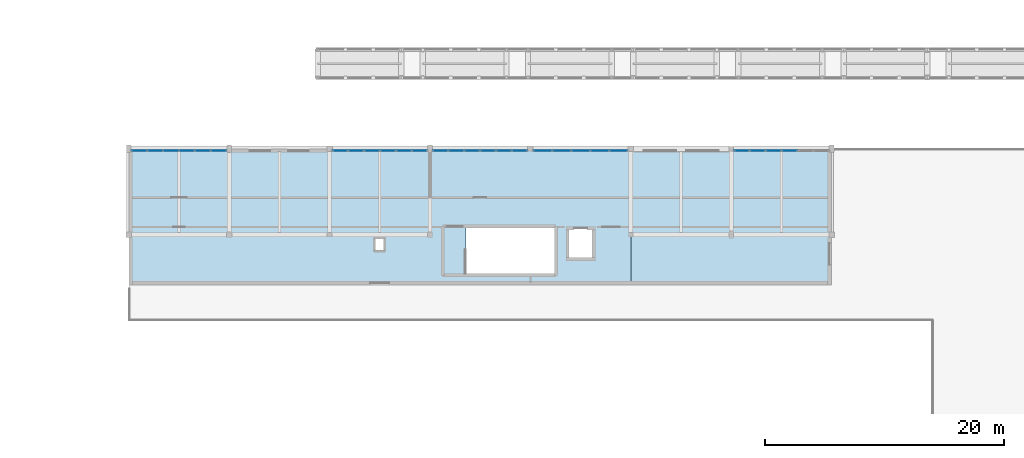
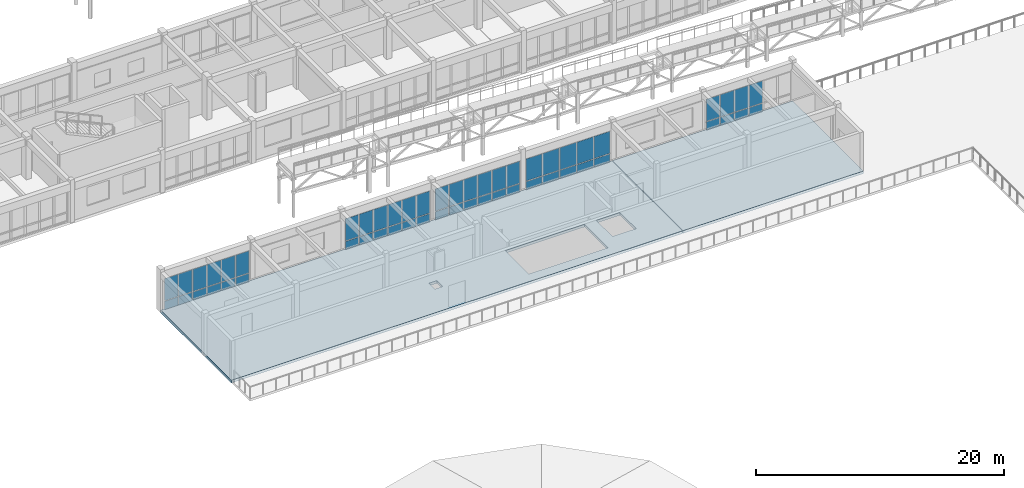
# One storey, part 59 of 89: 54 plates, 2 slabs, 5 elements without a shape of their own.
"""IFC4 building model written with IfcOpenShell, lengths in metres."""

from ifc_helpers import new_model, si_unit, direction, frame, origin, origin_2d, place, context, subcontext, project, spatial, polyline, rectangle, outline, extrude, material, layer, layer_set, type_object, element, aggregate, save


model = new_model("IFC4")

# Units and contexts
model_context = context("Model", 3, precision=1e-05, world=origin(), true_north=direction((0.0, 1.0)))
body_context = subcontext(model_context, "Body", "Model", "MODEL_VIEW")
ifc_project = project(units=[si_unit("LENGTHUNIT", "METRE"), si_unit("AREAUNIT", "SQUARE_METRE"), si_unit("VOLUMEUNIT", "CUBIC_METRE"), si_unit("PLANEANGLEUNIT", "RADIAN"), si_unit("MASSUNIT", "GRAM", prefix="KILO")], contexts=[model_context])

# Site, building, storey
site_placement = place(None, origin())
site = spatial("IfcSite", under=ifc_project, at=site_placement, CompositionType="ELEMENT")
building_placement = place(site_placement, origin())
building = spatial("IfcBuilding", under=site, at=building_placement, Name="Malvenik Polytechnic", CompositionType="ELEMENT")
storey_placement = place(building_placement, frame((0.0, 0.0, 13.5)))
storey = spatial("IfcBuildingStorey", under=building, at=storey_placement, Name="L03", CompositionType="ELEMENT", Elevation=13.5)

# Curtain wall, plates
ifc_material_1 = material(Name="Anodised aluminium 6060-T6", Category="aluminium")
curtain_wall_type = type_object("IfcCurtainWallType", Name="ARC-CW-CW-02", PredefinedType="NOTDEFINED", material=ifc_material_1)
curtain_wall_1_placement = place(storey_placement, origin())
curtain_wall_1 = element("IfcCurtainWall", 1, at=curtain_wall_1_placement, inside=storey, type_object=curtain_wall_type, Name="Unitised Curtain Wall CW-02 L03 #206", PredefinedType="NOTDEFINED")
ifc_material_2 = material(Name="Insulated low-E double glazing 8-16-8", Category="glass")
ifc_layer_1 = layer(ifc_material_2, 0.028076171875)
ifc_layer_set_1 = layer_set([ifc_layer_1], Name="Insulated low-E double glazing 8-16-8")
plate_type_1 = type_object("IfcPlateType", Name="ARC-CWP-CP-GLZ28", PredefinedType="CURTAIN_PANEL", material=ifc_layer_set_1)
plate_1_placement = place(storey_placement, frame((9.280029296875, 64.6298828125, 0.929931640625), z_axis=(0.0, 0.0, 1.0), x_axis=(1.0, 0.0, 0.0)))
plate_1 = element("IfcPlate", 2, at=plate_1_placement, type_object=plate_type_1, Name="CW-02 panel 1.2", PredefinedType="CURTAIN_PANEL", context=body_context, shape_type="SweptSolid", body=[
    extrude(rectangle(XDim=1.243896484375, YDim=0.028076171875, at=origin_2d()), origin(), (0.0, 0.0, 1.0), 2.169921875),
])
plate_2_placement = place(storey_placement, frame((10.59912109375, 64.6298828125, 0.929931640625), z_axis=(0.0, 0.0, 1.0), x_axis=(1.0, 0.0, 0.0)))
plate_2 = element("IfcPlate", 3, at=plate_2_placement, type_object=plate_type_1, Name="CW-02 panel 2.2", PredefinedType="CURTAIN_PANEL", context=body_context, shape_type="SweptSolid", body=[
    extrude(rectangle(XDim=1.27392578125, YDim=0.028076171875, at=origin_2d()), origin(), (0.0, 0.0, 1.0), 2.169921875),
])
plate_3_placement = place(storey_placement, frame((11.93310546875, 64.6298828125, 0.929931640625), z_axis=(0.0, 0.0, 1.0), x_axis=(1.0, 0.0, 0.0)))
plate_3 = element("IfcPlate", 4, at=plate_3_placement, type_object=plate_type_1, Name="CW-02 panel 3.2", PredefinedType="CURTAIN_PANEL", context=body_context, shape_type="SweptSolid", body=[
    extrude(rectangle(XDim=1.27392578125, YDim=0.028076171875, at=origin_2d()), origin(), (0.0, 0.0, 1.0), 2.169921875),
])
plate_4_placement = place(storey_placement, frame((13.26708984375, 64.6298828125, 0.929931640625), z_axis=(0.0, 0.0, 1.0), x_axis=(1.0, 0.0, 0.0)))
plate_4 = element("IfcPlate", 5, at=plate_4_placement, type_object=plate_type_1, Name="CW-02 panel 4.2", PredefinedType="CURTAIN_PANEL", context=body_context, shape_type="SweptSolid", body=[
    extrude(rectangle(XDim=1.27392578125, YDim=0.028076171875, at=origin_2d()), origin(), (0.0, 0.0, 1.0), 2.169921875),
])
plate_5_placement = place(storey_placement, frame((14.60107421875, 64.6298828125, 0.929931640625), z_axis=(0.0, 0.0, 1.0), x_axis=(1.0, 0.0, 0.0)))
plate_5 = element("IfcPlate", 6, at=plate_5_placement, type_object=plate_type_1, Name="CW-02 panel 5.2", PredefinedType="CURTAIN_PANEL", context=body_context, shape_type="SweptSolid", body=[
    extrude(rectangle(XDim=1.27392578125, YDim=0.028076171875, at=origin_2d()), origin(), (0.0, 0.0, 1.0), 2.169921875),
])
plate_6_placement = place(storey_placement, frame((15.919921875, 64.6298828125, 0.929931640625), z_axis=(0.0, 0.0, 1.0), x_axis=(1.0, 0.0, 0.0)))
plate_6 = element("IfcPlate", 7, at=plate_6_placement, type_object=plate_type_1, Name="CW-02 panel 6.2", PredefinedType="CURTAIN_PANEL", context=body_context, shape_type="SweptSolid", body=[
    extrude(rectangle(XDim=1.243896484375, YDim=0.028076171875, at=origin_2d()), origin(), (0.0, 0.0, 1.0), 2.169921875),
])

curtain_wall_2_placement = place(storey_placement, origin())
curtain_wall_2 = element("IfcCurtainWall", 8, at=curtain_wall_2_placement, inside=storey, type_object=curtain_wall_type, Name="Unitised Curtain Wall CW-02 L03 #207", PredefinedType="NOTDEFINED")
plate_7_placement = place(storey_placement, frame((26.10302734375, 64.6298828125, 0.929931640625), z_axis=(0.0, 0.0, 1.0), x_axis=(1.0, 0.0, 0.0)))
plate_7 = element("IfcPlate", 9, at=plate_7_placement, type_object=plate_type_1, Name="CW-02 panel 1.2", PredefinedType="CURTAIN_PANEL", context=body_context, shape_type="SweptSolid", body=[
    extrude(rectangle(XDim=1.23974609375, YDim=0.028076171875, at=origin_2d()), origin(), (0.0, 0.0, 1.0), 2.169921875),
])
plate_8_placement = place(storey_placement, frame((27.417724609375, 64.6298828125, 0.929931640625), z_axis=(0.0, 0.0, 1.0), x_axis=(1.0, 0.0, 0.0)))
plate_8 = element("IfcPlate", 10, at=plate_8_placement, type_object=plate_type_1, Name="CW-02 panel 2.2", PredefinedType="CURTAIN_PANEL", context=body_context, shape_type="SweptSolid", body=[
    extrude(rectangle(XDim=1.269775390625, YDim=0.028076171875, at=origin_2d()), origin(), (0.0, 0.0, 1.0), 2.169921875),
])
plate_9_placement = place(storey_placement, frame((28.74755859375, 64.6298828125, 0.929931640625), z_axis=(0.0, 0.0, 1.0), x_axis=(1.0, 0.0, 0.0)))
plate_9 = element("IfcPlate", 11, at=plate_9_placement, type_object=plate_type_1, Name="CW-02 panel 3.2", PredefinedType="CURTAIN_PANEL", context=body_context, shape_type="SweptSolid", body=[
    extrude(rectangle(XDim=1.269775390625, YDim=0.028076171875, at=origin_2d()), origin(), (0.0, 0.0, 1.0), 2.169921875),
])
plate_10_placement = place(storey_placement, frame((30.077392578125, 64.6298828125, 0.929931640625), z_axis=(0.0, 0.0, 1.0), x_axis=(1.0, 0.0, 0.0)))
plate_10 = element("IfcPlate", 12, at=plate_10_placement, type_object=plate_type_1, Name="CW-02 panel 4.2", PredefinedType="CURTAIN_PANEL", context=body_context, shape_type="SweptSolid", body=[
    extrude(rectangle(XDim=1.269775390625, YDim=0.028076171875, at=origin_2d()), origin(), (0.0, 0.0, 1.0), 2.169921875),
])
plate_11_placement = place(storey_placement, frame((31.4072265625, 64.6298828125, 0.929931640625), z_axis=(0.0, 0.0, 1.0), x_axis=(1.0, 0.0, 0.0)))
plate_11 = element("IfcPlate", 13, at=plate_11_placement, type_object=plate_type_1, Name="CW-02 panel 5.2", PredefinedType="CURTAIN_PANEL", context=body_context, shape_type="SweptSolid", body=[
    extrude(rectangle(XDim=1.269775390625, YDim=0.028076171875, at=origin_2d()), origin(), (0.0, 0.0, 1.0), 2.169921875),
])
plate_12_placement = place(storey_placement, frame((32.72216796875, 64.6298828125, 0.929931640625), z_axis=(0.0, 0.0, 1.0), x_axis=(1.0, 0.0, 0.0)))
plate_12 = element("IfcPlate", 14, at=plate_12_placement, type_object=plate_type_1, Name="CW-02 panel 6.2", PredefinedType="CURTAIN_PANEL", context=body_context, shape_type="SweptSolid", body=[
    extrude(rectangle(XDim=1.23974609375, YDim=0.028076171875, at=origin_2d()), origin(), (0.0, 0.0, 1.0), 2.169921875),
])

curtain_wall_3_placement = place(storey_placement, origin())
curtain_wall_3 = element("IfcCurtainWall", 15, at=curtain_wall_3_placement, inside=storey, type_object=curtain_wall_type, Name="Unitised Curtain Wall CW-02 L03 #208", PredefinedType="NOTDEFINED")
plate_13_placement = place(storey_placement, frame((34.47802734375, 64.6298828125, 0.929931640625), z_axis=(0.0, 0.0, 1.0), x_axis=(1.0, 0.0, 0.0)))
plate_13 = element("IfcPlate", 16, at=plate_13_placement, type_object=plate_type_1, Name="CW-02 panel 1.2", PredefinedType="CURTAIN_PANEL", context=body_context, shape_type="SweptSolid", body=[
    extrude(rectangle(XDim=1.23974609375, YDim=0.028076171875, at=origin_2d()), origin(), (0.0, 0.0, 1.0), 2.169921875),
])
plate_14_placement = place(storey_placement, frame((35.792724609375, 64.6298828125, 0.929931640625), z_axis=(0.0, 0.0, 1.0), x_axis=(1.0, 0.0, 0.0)))
plate_14 = element("IfcPlate", 17, at=plate_14_placement, type_object=plate_type_1, Name="CW-02 panel 2.2", PredefinedType="CURTAIN_PANEL", context=body_context, shape_type="SweptSolid", body=[
    extrude(rectangle(XDim=1.269775390625, YDim=0.028076171875, at=origin_2d()), origin(), (0.0, 0.0, 1.0), 2.169921875),
])
plate_15_placement = place(storey_placement, frame((37.12255859375, 64.6298828125, 0.929931640625), z_axis=(0.0, 0.0, 1.0), x_axis=(1.0, 0.0, 0.0)))
plate_15 = element("IfcPlate", 18, at=plate_15_placement, type_object=plate_type_1, Name="CW-02 panel 3.2", PredefinedType="CURTAIN_PANEL", context=body_context, shape_type="SweptSolid", body=[
    extrude(rectangle(XDim=1.269775390625, YDim=0.028076171875, at=origin_2d()), origin(), (0.0, 0.0, 1.0), 2.169921875),
])
plate_16_placement = place(storey_placement, frame((38.452392578125, 64.6298828125, 0.929931640625), z_axis=(0.0, 0.0, 1.0), x_axis=(1.0, 0.0, 0.0)))
plate_16 = element("IfcPlate", 19, at=plate_16_placement, type_object=plate_type_1, Name="CW-02 panel 4.2", PredefinedType="CURTAIN_PANEL", context=body_context, shape_type="SweptSolid", body=[
    extrude(rectangle(XDim=1.269775390625, YDim=0.028076171875, at=origin_2d()), origin(), (0.0, 0.0, 1.0), 2.169921875),
])
plate_17_placement = place(storey_placement, frame((39.7822265625, 64.6298828125, 0.929931640625), z_axis=(0.0, 0.0, 1.0), x_axis=(1.0, 0.0, 0.0)))
plate_17 = element("IfcPlate", 20, at=plate_17_placement, type_object=plate_type_1, Name="CW-02 panel 5.2", PredefinedType="CURTAIN_PANEL", context=body_context, shape_type="SweptSolid", body=[
    extrude(rectangle(XDim=1.269775390625, YDim=0.028076171875, at=origin_2d()), origin(), (0.0, 0.0, 1.0), 2.169921875),
])
plate_18_placement = place(storey_placement, frame((41.09716796875, 64.6298828125, 0.929931640625), z_axis=(0.0, 0.0, 1.0), x_axis=(1.0, 0.0, 0.0)))
plate_18 = element("IfcPlate", 21, at=plate_18_placement, type_object=plate_type_1, Name="CW-02 panel 6.2", PredefinedType="CURTAIN_PANEL", context=body_context, shape_type="SweptSolid", body=[
    extrude(rectangle(XDim=1.23974609375, YDim=0.028076171875, at=origin_2d()), origin(), (0.0, 0.0, 1.0), 2.169921875),
])

curtain_wall_4_placement = place(storey_placement, origin())
curtain_wall_4 = element("IfcCurtainWall", 22, at=curtain_wall_4_placement, inside=storey, type_object=curtain_wall_type, Name="Unitised Curtain Wall CW-02 L03 #209", PredefinedType="NOTDEFINED")
plate_19_placement = place(storey_placement, frame((43.033447265625, 64.6298828125, 0.929931640625), z_axis=(0.0, 0.0, 1.0), x_axis=(1.0, 0.0, 0.0)))
plate_19 = element("IfcPlate", 23, at=plate_19_placement, type_object=plate_type_1, Name="CW-02 panel 1.2", PredefinedType="CURTAIN_PANEL", context=body_context, shape_type="SweptSolid", body=[
    extrude(rectangle(XDim=1.500732421875, YDim=0.028076171875, at=origin_2d()), origin(), (0.0, 0.0, 1.0), 2.169921875),
])
plate_20_placement = place(storey_placement, frame((44.609130859375, 64.6298828125, 0.929931640625), z_axis=(0.0, 0.0, 1.0), x_axis=(1.0, 0.0, 0.0)))
plate_20 = element("IfcPlate", 24, at=plate_20_placement, type_object=plate_type_1, Name="CW-02 panel 2.2", PredefinedType="CURTAIN_PANEL", context=body_context, shape_type="SweptSolid", body=[
    extrude(rectangle(XDim=1.53076171875, YDim=0.028076171875, at=origin_2d()), origin(), (0.0, 0.0, 1.0), 2.169921875),
])
plate_21_placement = place(storey_placement, frame((46.199951171875, 64.6298828125, 0.929931640625), z_axis=(0.0, 0.0, 1.0), x_axis=(1.0, 0.0, 0.0)))
plate_21 = element("IfcPlate", 25, at=plate_21_placement, type_object=plate_type_1, Name="CW-02 panel 3.2", PredefinedType="CURTAIN_PANEL", context=body_context, shape_type="SweptSolid", body=[
    extrude(rectangle(XDim=1.53076171875, YDim=0.028076171875, at=origin_2d()), origin(), (0.0, 0.0, 1.0), 2.169921875),
])
plate_22_placement = place(storey_placement, frame((47.790771484375, 64.6298828125, 0.929931640625), z_axis=(0.0, 0.0, 1.0), x_axis=(1.0, 0.0, 0.0)))
plate_22 = element("IfcPlate", 26, at=plate_22_placement, type_object=plate_type_1, Name="CW-02 panel 4.2", PredefinedType="CURTAIN_PANEL", context=body_context, shape_type="SweptSolid", body=[
    extrude(rectangle(XDim=1.53076171875, YDim=0.028076171875, at=origin_2d()), origin(), (0.0, 0.0, 1.0), 2.169921875),
])
plate_23_placement = place(storey_placement, frame((49.36669921875, 64.6298828125, 0.929931640625), z_axis=(0.0, 0.0, 1.0), x_axis=(1.0, 0.0, 0.0)))
plate_23 = element("IfcPlate", 27, at=plate_23_placement, type_object=plate_type_1, Name="CW-02 panel 5.2", PredefinedType="CURTAIN_PANEL", context=body_context, shape_type="SweptSolid", body=[
    extrude(rectangle(XDim=1.500732421875, YDim=0.028076171875, at=origin_2d()), origin(), (0.0, 0.0, 1.0), 2.169921875),
])

curtain_wall_5_placement = place(storey_placement, origin())
curtain_wall_5 = element("IfcCurtainWall", 28, at=curtain_wall_5_placement, inside=storey, type_object=curtain_wall_type, Name="Unitised Curtain Wall CW-02 L03 #210", PredefinedType="NOTDEFINED")
plate_24_placement = place(storey_placement, frame((59.679931640625, 64.6298828125, 0.929931640625), z_axis=(0.0, 0.0, 1.0), x_axis=(1.0, 0.0, 0.0)))
plate_24 = element("IfcPlate", 29, at=plate_24_placement, type_object=plate_type_1, Name="CW-02 panel 1.2", PredefinedType="CURTAIN_PANEL", context=body_context, shape_type="SweptSolid", body=[
    extrude(rectangle(XDim=1.243896484375, YDim=0.028076171875, at=origin_2d()), origin(), (0.0, 0.0, 1.0), 2.169921875),
])
plate_25_placement = place(storey_placement, frame((60.9990234375, 64.6298828125, 0.929931640625), z_axis=(0.0, 0.0, 1.0), x_axis=(1.0, 0.0, 0.0)))
plate_25 = element("IfcPlate", 30, at=plate_25_placement, type_object=plate_type_1, Name="CW-02 panel 2.2", PredefinedType="CURTAIN_PANEL", context=body_context, shape_type="SweptSolid", body=[
    extrude(rectangle(XDim=1.27392578125, YDim=0.028076171875, at=origin_2d()), origin(), (0.0, 0.0, 1.0), 2.169921875),
])
plate_26_placement = place(storey_placement, frame((62.3330078125, 64.6298828125, 0.929931640625), z_axis=(0.0, 0.0, 1.0), x_axis=(1.0, 0.0, 0.0)))
plate_26 = element("IfcPlate", 31, at=plate_26_placement, type_object=plate_type_1, Name="CW-02 panel 3.2", PredefinedType="CURTAIN_PANEL", context=body_context, shape_type="SweptSolid", body=[
    extrude(rectangle(XDim=1.27392578125, YDim=0.028076171875, at=origin_2d()), origin(), (0.0, 0.0, 1.0), 2.169921875),
])
plate_27_placement = place(storey_placement, frame((63.6669921875, 64.6298828125, 0.929931640625), z_axis=(0.0, 0.0, 1.0), x_axis=(1.0, 0.0, 0.0)))
plate_27 = element("IfcPlate", 32, at=plate_27_placement, type_object=plate_type_1, Name="CW-02 panel 4.2", PredefinedType="CURTAIN_PANEL", context=body_context, shape_type="SweptSolid", body=[
    extrude(rectangle(XDim=1.27392578125, YDim=0.028076171875, at=origin_2d()), origin(), (0.0, 0.0, 1.0), 2.169921875),
])

# Plate
ifc_material_3 = material(Name="Insulated aluminium spandrel cassette 42mm", Category="aluminium")
ifc_layer_2 = layer(ifc_material_3, 0.0419921875)
ifc_layer_set_2 = layer_set([ifc_layer_2], Name="Insulated aluminium spandrel cassette 42mm")
plate_type_2 = type_object("IfcPlateType", Name="ARC-CWP-CP-SPN42", PredefinedType="CURTAIN_PANEL", material=ifc_layer_set_2)
plate_28_placement = place(storey_placement, frame((9.280029296875, 64.6298828125, 0.06005859375), z_axis=(0.0, 0.0, 1.0), x_axis=(1.0, 0.0, 0.0)))
plate_28 = element("IfcPlate", 33, at=plate_28_placement, type_object=plate_type_2, Name="CW-02 panel 1.1", PredefinedType="CURTAIN_PANEL", context=body_context, shape_type="SweptSolid", body=[
    extrude(rectangle(XDim=1.243896484375, YDim=0.028076171875, at=origin_2d()), origin(), (0.0, 0.0, 1.0), 0.81005859375),
])

plate_29_placement = place(storey_placement, frame((10.59912109375, 64.6298828125, 0.06005859375), z_axis=(0.0, 0.0, 1.0), x_axis=(1.0, 0.0, 0.0)))
plate_29 = element("IfcPlate", 34, at=plate_29_placement, type_object=plate_type_2, Name="CW-02 panel 2.1", PredefinedType="CURTAIN_PANEL", context=body_context, shape_type="SweptSolid", body=[
    extrude(rectangle(XDim=1.27392578125, YDim=0.028076171875, at=origin_2d()), origin(), (0.0, 0.0, 1.0), 0.81005859375),
])

plate_30_placement = place(storey_placement, frame((11.93310546875, 64.6298828125, 0.06005859375), z_axis=(0.0, 0.0, 1.0), x_axis=(1.0, 0.0, 0.0)))
plate_30 = element("IfcPlate", 35, at=plate_30_placement, type_object=plate_type_2, Name="CW-02 panel 3.1", PredefinedType="CURTAIN_PANEL", context=body_context, shape_type="SweptSolid", body=[
    extrude(rectangle(XDim=1.27392578125, YDim=0.028076171875, at=origin_2d()), origin(), (0.0, 0.0, 1.0), 0.81005859375),
])

plate_31_placement = place(storey_placement, frame((13.26708984375, 64.6298828125, 0.06005859375), z_axis=(0.0, 0.0, 1.0), x_axis=(1.0, 0.0, 0.0)))
plate_31 = element("IfcPlate", 36, at=plate_31_placement, type_object=plate_type_2, Name="CW-02 panel 4.1", PredefinedType="CURTAIN_PANEL", context=body_context, shape_type="SweptSolid", body=[
    extrude(rectangle(XDim=1.27392578125, YDim=0.028076171875, at=origin_2d()), origin(), (0.0, 0.0, 1.0), 0.81005859375),
])

plate_32_placement = place(storey_placement, frame((14.60107421875, 64.6298828125, 0.06005859375), z_axis=(0.0, 0.0, 1.0), x_axis=(1.0, 0.0, 0.0)))
plate_32 = element("IfcPlate", 37, at=plate_32_placement, type_object=plate_type_2, Name="CW-02 panel 5.1", PredefinedType="CURTAIN_PANEL", context=body_context, shape_type="SweptSolid", body=[
    extrude(rectangle(XDim=1.27392578125, YDim=0.028076171875, at=origin_2d()), origin(), (0.0, 0.0, 1.0), 0.81005859375),
])

plate_33_placement = place(storey_placement, frame((15.919921875, 64.6298828125, 0.06005859375), z_axis=(0.0, 0.0, 1.0), x_axis=(1.0, 0.0, 0.0)))
plate_33 = element("IfcPlate", 38, at=plate_33_placement, type_object=plate_type_2, Name="CW-02 panel 6.1", PredefinedType="CURTAIN_PANEL", context=body_context, shape_type="SweptSolid", body=[
    extrude(rectangle(XDim=1.243896484375, YDim=0.028076171875, at=origin_2d()), origin(), (0.0, 0.0, 1.0), 0.81005859375),
])

aggregate(curtain_wall_1, [plate_28, plate_1, plate_29, plate_2, plate_30, plate_3, plate_31, plate_4, plate_32, plate_5, plate_33, plate_6])

plate_34_placement = place(storey_placement, frame((26.10302734375, 64.6298828125, 0.06005859375), z_axis=(0.0, 0.0, 1.0), x_axis=(1.0, 0.0, 0.0)))
plate_34 = element("IfcPlate", 39, at=plate_34_placement, type_object=plate_type_2, Name="CW-02 panel 1.1", PredefinedType="CURTAIN_PANEL", context=body_context, shape_type="SweptSolid", body=[
    extrude(rectangle(XDim=1.23974609375, YDim=0.028076171875, at=origin_2d()), origin(), (0.0, 0.0, 1.0), 0.81005859375),
])

plate_35_placement = place(storey_placement, frame((27.417724609375, 64.6298828125, 0.06005859375), z_axis=(0.0, 0.0, 1.0), x_axis=(1.0, 0.0, 0.0)))
plate_35 = element("IfcPlate", 40, at=plate_35_placement, type_object=plate_type_2, Name="CW-02 panel 2.1", PredefinedType="CURTAIN_PANEL", context=body_context, shape_type="SweptSolid", body=[
    extrude(rectangle(XDim=1.269775390625, YDim=0.028076171875, at=origin_2d()), origin(), (0.0, 0.0, 1.0), 0.81005859375),
])

plate_36_placement = place(storey_placement, frame((28.74755859375, 64.6298828125, 0.06005859375), z_axis=(0.0, 0.0, 1.0), x_axis=(1.0, 0.0, 0.0)))
plate_36 = element("IfcPlate", 41, at=plate_36_placement, type_object=plate_type_2, Name="CW-02 panel 3.1", PredefinedType="CURTAIN_PANEL", context=body_context, shape_type="SweptSolid", body=[
    extrude(rectangle(XDim=1.269775390625, YDim=0.028076171875, at=origin_2d()), origin(), (0.0, 0.0, 1.0), 0.81005859375),
])

plate_37_placement = place(storey_placement, frame((30.077392578125, 64.6298828125, 0.06005859375), z_axis=(0.0, 0.0, 1.0), x_axis=(1.0, 0.0, 0.0)))
plate_37 = element("IfcPlate", 42, at=plate_37_placement, type_object=plate_type_2, Name="CW-02 panel 4.1", PredefinedType="CURTAIN_PANEL", context=body_context, shape_type="SweptSolid", body=[
    extrude(rectangle(XDim=1.269775390625, YDim=0.028076171875, at=origin_2d()), origin(), (0.0, 0.0, 1.0), 0.81005859375),
])

plate_38_placement = place(storey_placement, frame((31.4072265625, 64.6298828125, 0.06005859375), z_axis=(0.0, 0.0, 1.0), x_axis=(1.0, 0.0, 0.0)))
plate_38 = element("IfcPlate", 43, at=plate_38_placement, type_object=plate_type_2, Name="CW-02 panel 5.1", PredefinedType="CURTAIN_PANEL", context=body_context, shape_type="SweptSolid", body=[
    extrude(rectangle(XDim=1.269775390625, YDim=0.028076171875, at=origin_2d()), origin(), (0.0, 0.0, 1.0), 0.81005859375),
])

plate_39_placement = place(storey_placement, frame((32.72216796875, 64.6298828125, 0.06005859375), z_axis=(0.0, 0.0, 1.0), x_axis=(1.0, 0.0, 0.0)))
plate_39 = element("IfcPlate", 44, at=plate_39_placement, type_object=plate_type_2, Name="CW-02 panel 6.1", PredefinedType="CURTAIN_PANEL", context=body_context, shape_type="SweptSolid", body=[
    extrude(rectangle(XDim=1.23974609375, YDim=0.028076171875, at=origin_2d()), origin(), (0.0, 0.0, 1.0), 0.81005859375),
])

aggregate(curtain_wall_2, [plate_34, plate_7, plate_35, plate_8, plate_36, plate_9, plate_37, plate_10, plate_38, plate_11, plate_39, plate_12])

plate_40_placement = place(storey_placement, frame((34.47802734375, 64.6298828125, 0.06005859375), z_axis=(0.0, 0.0, 1.0), x_axis=(1.0, 0.0, 0.0)))
plate_40 = element("IfcPlate", 45, at=plate_40_placement, type_object=plate_type_2, Name="CW-02 panel 1.1", PredefinedType="CURTAIN_PANEL", context=body_context, shape_type="SweptSolid", body=[
    extrude(rectangle(XDim=1.23974609375, YDim=0.028076171875, at=origin_2d()), origin(), (0.0, 0.0, 1.0), 0.81005859375),
])

plate_41_placement = place(storey_placement, frame((35.792724609375, 64.6298828125, 0.06005859375), z_axis=(0.0, 0.0, 1.0), x_axis=(1.0, 0.0, 0.0)))
plate_41 = element("IfcPlate", 46, at=plate_41_placement, type_object=plate_type_2, Name="CW-02 panel 2.1", PredefinedType="CURTAIN_PANEL", context=body_context, shape_type="SweptSolid", body=[
    extrude(rectangle(XDim=1.269775390625, YDim=0.028076171875, at=origin_2d()), origin(), (0.0, 0.0, 1.0), 0.81005859375),
])

plate_42_placement = place(storey_placement, frame((37.12255859375, 64.6298828125, 0.06005859375), z_axis=(0.0, 0.0, 1.0), x_axis=(1.0, 0.0, 0.0)))
plate_42 = element("IfcPlate", 47, at=plate_42_placement, type_object=plate_type_2, Name="CW-02 panel 3.1", PredefinedType="CURTAIN_PANEL", context=body_context, shape_type="SweptSolid", body=[
    extrude(rectangle(XDim=1.269775390625, YDim=0.028076171875, at=origin_2d()), origin(), (0.0, 0.0, 1.0), 0.81005859375),
])

plate_43_placement = place(storey_placement, frame((38.452392578125, 64.6298828125, 0.06005859375), z_axis=(0.0, 0.0, 1.0), x_axis=(1.0, 0.0, 0.0)))
plate_43 = element("IfcPlate", 48, at=plate_43_placement, type_object=plate_type_2, Name="CW-02 panel 4.1", PredefinedType="CURTAIN_PANEL", context=body_context, shape_type="SweptSolid", body=[
    extrude(rectangle(XDim=1.269775390625, YDim=0.028076171875, at=origin_2d()), origin(), (0.0, 0.0, 1.0), 0.81005859375),
])

plate_44_placement = place(storey_placement, frame((39.7822265625, 64.6298828125, 0.06005859375), z_axis=(0.0, 0.0, 1.0), x_axis=(1.0, 0.0, 0.0)))
plate_44 = element("IfcPlate", 49, at=plate_44_placement, type_object=plate_type_2, Name="CW-02 panel 5.1", PredefinedType="CURTAIN_PANEL", context=body_context, shape_type="SweptSolid", body=[
    extrude(rectangle(XDim=1.269775390625, YDim=0.028076171875, at=origin_2d()), origin(), (0.0, 0.0, 1.0), 0.81005859375),
])

plate_45_placement = place(storey_placement, frame((41.09716796875, 64.6298828125, 0.06005859375), z_axis=(0.0, 0.0, 1.0), x_axis=(1.0, 0.0, 0.0)))
plate_45 = element("IfcPlate", 50, at=plate_45_placement, type_object=plate_type_2, Name="CW-02 panel 6.1", PredefinedType="CURTAIN_PANEL", context=body_context, shape_type="SweptSolid", body=[
    extrude(rectangle(XDim=1.23974609375, YDim=0.028076171875, at=origin_2d()), origin(), (0.0, 0.0, 1.0), 0.81005859375),
])

aggregate(curtain_wall_3, [plate_40, plate_13, plate_41, plate_14, plate_42, plate_15, plate_43, plate_16, plate_44, plate_17, plate_45, plate_18])

plate_46_placement = place(storey_placement, frame((43.033447265625, 64.6298828125, 0.06005859375), z_axis=(0.0, 0.0, 1.0), x_axis=(1.0, 0.0, 0.0)))
plate_46 = element("IfcPlate", 51, at=plate_46_placement, type_object=plate_type_2, Name="CW-02 panel 1.1", PredefinedType="CURTAIN_PANEL", context=body_context, shape_type="SweptSolid", body=[
    extrude(rectangle(XDim=1.500732421875, YDim=0.028076171875, at=origin_2d()), origin(), (0.0, 0.0, 1.0), 0.81005859375),
])

plate_47_placement = place(storey_placement, frame((44.609130859375, 64.6298828125, 0.06005859375), z_axis=(0.0, 0.0, 1.0), x_axis=(1.0, 0.0, 0.0)))
plate_47 = element("IfcPlate", 52, at=plate_47_placement, type_object=plate_type_2, Name="CW-02 panel 2.1", PredefinedType="CURTAIN_PANEL", context=body_context, shape_type="SweptSolid", body=[
    extrude(rectangle(XDim=1.53076171875, YDim=0.028076171875, at=origin_2d()), origin(), (0.0, 0.0, 1.0), 0.81005859375),
])

plate_48_placement = place(storey_placement, frame((46.199951171875, 64.6298828125, 0.06005859375), z_axis=(0.0, 0.0, 1.0), x_axis=(1.0, 0.0, 0.0)))
plate_48 = element("IfcPlate", 53, at=plate_48_placement, type_object=plate_type_2, Name="CW-02 panel 3.1", PredefinedType="CURTAIN_PANEL", context=body_context, shape_type="SweptSolid", body=[
    extrude(rectangle(XDim=1.53076171875, YDim=0.028076171875, at=origin_2d()), origin(), (0.0, 0.0, 1.0), 0.81005859375),
])

plate_49_placement = place(storey_placement, frame((47.790771484375, 64.6298828125, 0.06005859375), z_axis=(0.0, 0.0, 1.0), x_axis=(1.0, 0.0, 0.0)))
plate_49 = element("IfcPlate", 54, at=plate_49_placement, type_object=plate_type_2, Name="CW-02 panel 4.1", PredefinedType="CURTAIN_PANEL", context=body_context, shape_type="SweptSolid", body=[
    extrude(rectangle(XDim=1.53076171875, YDim=0.028076171875, at=origin_2d()), origin(), (0.0, 0.0, 1.0), 0.81005859375),
])

plate_50_placement = place(storey_placement, frame((49.36669921875, 64.6298828125, 0.06005859375), z_axis=(0.0, 0.0, 1.0), x_axis=(1.0, 0.0, 0.0)))
plate_50 = element("IfcPlate", 55, at=plate_50_placement, type_object=plate_type_2, Name="CW-02 panel 5.1", PredefinedType="CURTAIN_PANEL", context=body_context, shape_type="SweptSolid", body=[
    extrude(rectangle(XDim=1.500732421875, YDim=0.028076171875, at=origin_2d()), origin(), (0.0, 0.0, 1.0), 0.81005859375),
])

aggregate(curtain_wall_4, [plate_46, plate_19, plate_47, plate_20, plate_48, plate_21, plate_49, plate_22, plate_50, plate_23])

plate_51_placement = place(storey_placement, frame((59.679931640625, 64.6298828125, 0.06005859375), z_axis=(0.0, 0.0, 1.0), x_axis=(1.0, 0.0, 0.0)))
plate_51 = element("IfcPlate", 56, at=plate_51_placement, type_object=plate_type_2, Name="CW-02 panel 1.1", PredefinedType="CURTAIN_PANEL", context=body_context, shape_type="SweptSolid", body=[
    extrude(rectangle(XDim=1.243896484375, YDim=0.028076171875, at=origin_2d()), origin(), (0.0, 0.0, 1.0), 0.81005859375),
])

plate_52_placement = place(storey_placement, frame((60.9990234375, 64.6298828125, 0.06005859375), z_axis=(0.0, 0.0, 1.0), x_axis=(1.0, 0.0, 0.0)))
plate_52 = element("IfcPlate", 57, at=plate_52_placement, type_object=plate_type_2, Name="CW-02 panel 2.1", PredefinedType="CURTAIN_PANEL", context=body_context, shape_type="SweptSolid", body=[
    extrude(rectangle(XDim=1.27392578125, YDim=0.028076171875, at=origin_2d()), origin(), (0.0, 0.0, 1.0), 0.81005859375),
])

plate_53_placement = place(storey_placement, frame((62.3330078125, 64.6298828125, 0.06005859375), z_axis=(0.0, 0.0, 1.0), x_axis=(1.0, 0.0, 0.0)))
plate_53 = element("IfcPlate", 58, at=plate_53_placement, type_object=plate_type_2, Name="CW-02 panel 3.1", PredefinedType="CURTAIN_PANEL", context=body_context, shape_type="SweptSolid", body=[
    extrude(rectangle(XDim=1.27392578125, YDim=0.028076171875, at=origin_2d()), origin(), (0.0, 0.0, 1.0), 0.81005859375),
])

plate_54_placement = place(storey_placement, frame((63.6669921875, 64.6298828125, 0.06005859375), z_axis=(0.0, 0.0, 1.0), x_axis=(1.0, 0.0, 0.0)))
plate_54 = element("IfcPlate", 59, at=plate_54_placement, type_object=plate_type_2, Name="CW-02 panel 4.1", PredefinedType="CURTAIN_PANEL", context=body_context, shape_type="SweptSolid", body=[
    extrude(rectangle(XDim=1.27392578125, YDim=0.028076171875, at=origin_2d()), origin(), (0.0, 0.0, 1.0), 0.81005859375),
])

aggregate(curtain_wall_5, [plate_51, plate_24, plate_52, plate_25, plate_53, plate_26, plate_54, plate_27])

# Slabs
ifc_material_4 = material(Name="Concrete C35/45", Category="concrete")
ifc_layer_3 = layer(ifc_material_4, 0.260009765625)
ifc_layer_set_3 = layer_set([ifc_layer_3], Name="Concrete C35/45")
slab_type = type_object("IfcSlabType", Name="STR-SLB-FLR-260", PredefinedType="FLOOR", material=ifc_layer_set_3)
slab_1_placement = place(storey_placement, frame((0.0, 0.0, -0.260009765625)))
element("IfcSlab", 60, at=slab_1_placement, inside=storey, type_object=slab_type, Name="Structural Slab L03-V3-W #86", PredefinedType="FLOOR", context=body_context, shape_type="SweptSolid", body=[
    extrude(outline(polyline([(50.3798828125, 64.800048828125), (50.3798828125, 53.39990234375), (8.39990234375, 53.39990234375), (8.39990234375, 64.800048828125), (50.3798828125, 64.800048828125)]), holes=[polyline([(44.0, 58.14990234375), (36.617919921875, 58.14990234375), (36.617919921875, 54.35009765625), (44.0, 54.35009765625), (44.0, 58.14990234375)]), polyline([(29.0, 57.25), (29.0, 56.300048828125), (29.75, 56.300048828125), (29.75, 57.25), (29.0, 57.25)]), polyline([(45.10009765625, 58.14990234375), (45.10009765625, 55.550048828125), (47.300048828125, 55.550048828125), (47.300048828125, 58.14990234375), (45.10009765625, 58.14990234375)])]), origin(), (0.0, 0.0, 1.0), 0.260009765625),
])
slab_2_placement = place(storey_placement, frame((0.0, 0.0, -0.260009765625)))
element("IfcSlab", 61, at=slab_2_placement, inside=storey, type_object=slab_type, Name="Structural Slab L03-V3-W #87", PredefinedType="FLOOR", context=body_context, shape_type="SweptSolid", body=[
    extrude(outline(polyline([(67.199951171875, 64.800048828125), (67.199951171875, 53.39990234375), (50.419921875, 53.39990234375), (50.419921875, 64.800048828125), (67.199951171875, 64.800048828125)])), origin(), (0.0, 0.0, 1.0), 0.260009765625),
])

save(model, "model.ifc")
